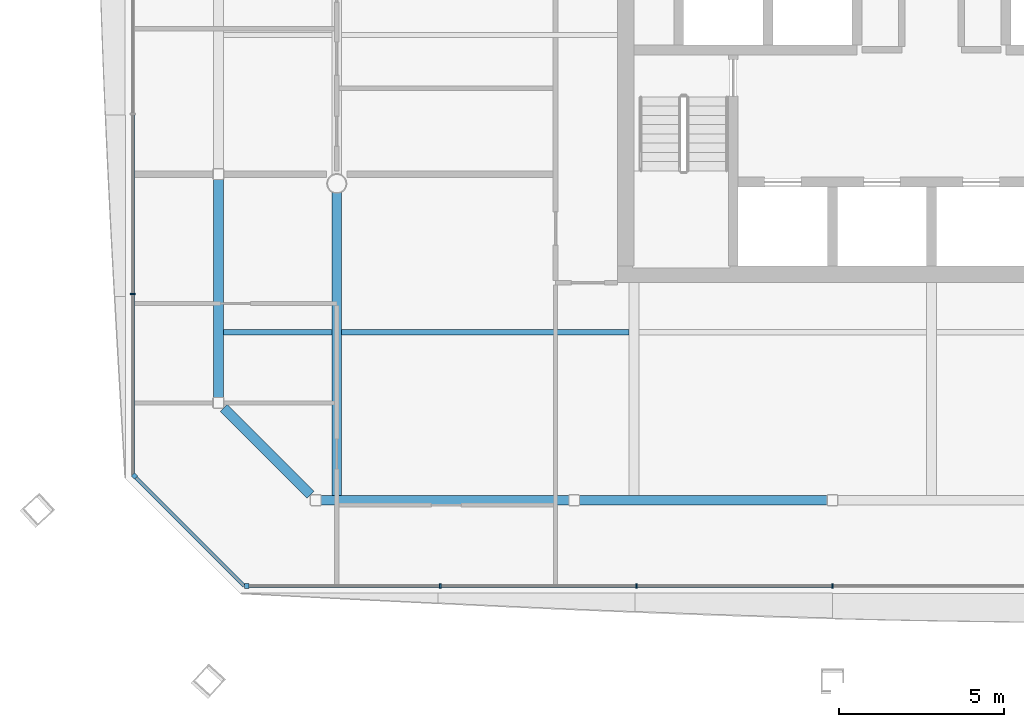
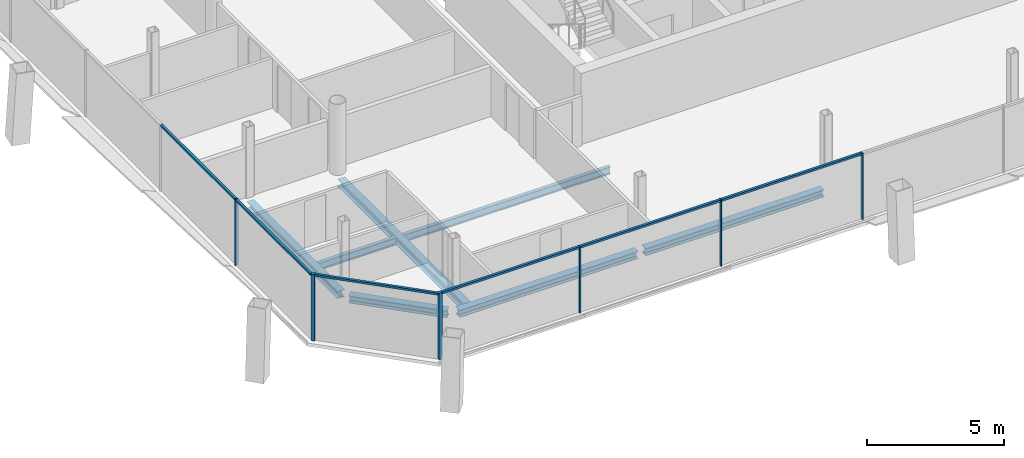
# One storey, part 4 of 20: 12 members, 7 beams, 3 elements without a shape of their own.
"""IFC4 building model written with IfcOpenShell, lengths in metres."""

from ifc_helpers import new_model, si_unit, direction, frame, origin, origin_2d, place, context, subcontext, project, spatial, rectangle, i_section, extrude, material, material_profile, profile_set, type_object, element, aggregate, save


model = new_model("IFC4")

# Units and contexts
model_context = context("Model", 3, precision=1e-05, world=origin(), true_north=direction((0.0, 1.0)))
body_context = subcontext(model_context, "Body", "Model", "MODEL_VIEW")
ifc_project = project(units=[si_unit("LENGTHUNIT", "METRE"), si_unit("AREAUNIT", "SQUARE_METRE"), si_unit("VOLUMEUNIT", "CUBIC_METRE"), si_unit("PLANEANGLEUNIT", "RADIAN"), si_unit("MASSUNIT", "GRAM", prefix="KILO")], contexts=[model_context])

# Site, building, storey
site_placement = place(None, origin())
site = spatial("IfcSite", under=ifc_project, at=site_placement, CompositionType="ELEMENT")
building_placement = place(site_placement, origin())
building = spatial("IfcBuilding", under=site, at=building_placement, Name="Tskaro Facet Tower", CompositionType="ELEMENT")
storey_placement = place(building_placement, frame((0.0, 0.0, 175.35009765625)))
storey = spatial("IfcBuildingStorey", under=building, at=storey_placement, Name="L43", CompositionType="ELEMENT", Elevation=175.35009765625)

# Curtain wall, member
ifc_material_1 = material(Name="Bronze anodised aluminium 6063-T6", Category="aluminium")
curtain_wall_type = type_object("IfcCurtainWallType", Name="Bronze residence curtain wall (FW3)", PredefinedType="NOTDEFINED", material=ifc_material_1)
curtain_wall_1_placement = place(storey_placement, origin())
curtain_wall_1 = element("IfcCurtainWall", 1, at=curtain_wall_1_placement, inside=storey, type_object=curtain_wall_type, Name="FW3 south facet L43", PredefinedType="NOTDEFINED")
ifc_material_profile_1 = material_profile(ifc_material_1, rectangle(XDim=0.139892578125, YDim=0.139892578125, at=origin_2d()), Name="Corner post 140x140")
ifc_profile_set_1 = profile_set([ifc_material_profile_1], Name="Bronze anodised aluminium 6063-T6")
member_type_1 = type_object("IfcMemberType", Name="FW3 bronze corner post 140x140", PredefinedType="MULLION", material=ifc_profile_set_1)
member_1_placement = place(storey_placement, frame((-20.72998046875, -21.176025390625, 0.0), z_axis=(0.0, 0.0, 1.0), x_axis=(1.0, 0.0, 0.0)))
member_1 = element("IfcMember", 2, at=member_1_placement, type_object=member_type_1, Name="FW3 south corner post", PredefinedType="MULLION", context=body_context, shape_type="SweptSolid", body=[
    extrude(rectangle(XDim=0.139892578125, YDim=0.139892578125, at=origin_2d()), origin(), (0.0, 0.0, 1.0), 2.949951171875),
])

curtain_wall_2_placement = place(storey_placement, origin())
curtain_wall_2 = element("IfcCurtainWall", 3, at=curtain_wall_2_placement, inside=storey, type_object=curtain_wall_type, Name="FW3 south-west facet L43", PredefinedType="NOTDEFINED")
member_2_placement = place(storey_placement, frame((-24.12646484375, -17.849609375, 0.0), z_axis=(0.0, 0.0, 1.0), x_axis=(0.707106781187, -0.707106781187, 0.0)))
member_2 = element("IfcMember", 4, at=member_2_placement, type_object=member_type_1, Name="FW3 south-west corner post", PredefinedType="MULLION", context=body_context, shape_type="SweptSolid", body=[
    extrude(rectangle(XDim=0.139892578125, YDim=0.139892578125, at=origin_2d()), origin(), (0.0, 0.0, 1.0), 2.949951171875),
])

# Member
ifc_material_profile_2 = material_profile(ifc_material_1, rectangle(XDim=0.050048828125, YDim=0.139892578125, at=origin_2d()), Name="Mullion 50x140")
ifc_profile_set_2 = profile_set([ifc_material_profile_2], Name="Bronze anodised aluminium 6063-T6")
member_type_2 = type_object("IfcMemberType", Name="FW3 bronze mullion 50x140", PredefinedType="MULLION", material=ifc_profile_set_2)
member_3_placement = place(storey_placement, frame((-14.86669921875, -21.176025390625, 0.0), z_axis=(0.0, 0.0, 1.0), x_axis=(1.0, 0.0, 0.0)))
member_3 = element("IfcMember", 5, at=member_3_placement, type_object=member_type_2, Name="FW3 south mullion 1", PredefinedType="MULLION", context=body_context, shape_type="SweptSolid", body=[
    extrude(rectangle(XDim=0.050048828125, YDim=0.139892578125, at=origin_2d()), origin(), (0.0, 0.0, 1.0), 2.949951171875),
])

member_4_placement = place(storey_placement, frame((-8.933349609375, -21.176025390625, 0.0), z_axis=(0.0, 0.0, 1.0), x_axis=(1.0, 0.0, 0.0)))
member_4 = element("IfcMember", 6, at=member_4_placement, type_object=member_type_2, Name="FW3 south mullion 2", PredefinedType="MULLION", context=body_context, shape_type="SweptSolid", body=[
    extrude(rectangle(XDim=0.050048828125, YDim=0.139892578125, at=origin_2d()), origin(), (0.0, 0.0, 1.0), 2.949951171875),
])

member_5_placement = place(storey_placement, frame((-3.0, -21.176025390625, 0.0), z_axis=(0.0, 0.0, 1.0), x_axis=(1.0, 0.0, 0.0)))
member_5 = element("IfcMember", 7, at=member_5_placement, type_object=member_type_2, Name="FW3 south mullion 3", PredefinedType="MULLION", context=body_context, shape_type="SweptSolid", body=[
    extrude(rectangle(XDim=0.050048828125, YDim=0.139892578125, at=origin_2d()), origin(), (0.0, 0.0, 1.0), 2.949951171875),
])

# Curtain wall, member
curtain_wall_3_placement = place(storey_placement, origin())
curtain_wall_3 = element("IfcCurtainWall", 8, at=curtain_wall_3_placement, inside=storey, type_object=curtain_wall_type, Name="FW3 west facet L43", PredefinedType="NOTDEFINED")
member_6_placement = place(storey_placement, frame((-24.176025390625, -12.3447265625, 0.0), z_axis=(0.0, 0.0, 1.0), x_axis=(0.0, -1.0, 0.0)))
member_6 = element("IfcMember", 9, at=member_6_placement, type_object=member_type_2, Name="FW3 west mullion 5", PredefinedType="MULLION", context=body_context, shape_type="SweptSolid", body=[
    extrude(rectangle(XDim=0.050048828125, YDim=0.139892578125, at=origin_2d()), origin(), (0.0, 0.0, 1.0), 2.949951171875),
])

# Member
ifc_material_profile_3 = material_profile(ifc_material_1, rectangle(XDim=0.10009765625, YDim=0.090087890625, at=origin_2d()), Name="Transom 100x90")
ifc_profile_set_3 = profile_set([ifc_material_profile_3], Name="Bronze anodised aluminium 6063-T6")
member_type_3 = type_object("IfcMemberType", Name="FW3 bronze transom 100x90", PredefinedType="USERDEFINED", material=ifc_profile_set_3)
member_7_placement = place(storey_placement, frame((-20.659912109375, -21.176025390625, 2.90478515625), z_axis=(1.0, 0.0, 0.0), x_axis=(0.0, 1.0, 0.0)))
member_7 = element("IfcMember", 10, at=member_7_placement, type_object=member_type_3, Name="FW3 south transom 1.1", ObjectType="TRANSOM", PredefinedType="USERDEFINED", context=body_context, shape_type="SweptSolid", body=[
    extrude(rectangle(XDim=0.10009765625, YDim=0.090087890625, at=origin_2d()), origin(), (0.0, 0.0, 1.0), 5.768310546875),
])

member_8_placement = place(storey_placement, frame((-14.841552734375, -21.176025390625, 2.90478515625), z_axis=(1.0, 0.0, 0.0), x_axis=(0.0, 1.0, 0.0)))
member_8 = element("IfcMember", 11, at=member_8_placement, type_object=member_type_3, Name="FW3 south transom 2.1", ObjectType="TRANSOM", PredefinedType="USERDEFINED", context=body_context, shape_type="SweptSolid", body=[
    extrude(rectangle(XDim=0.10009765625, YDim=0.090087890625, at=origin_2d()), origin(), (0.0, 0.0, 1.0), 5.88330078125),
])

member_9_placement = place(storey_placement, frame((-8.908447265625, -21.176025390625, 2.90478515625), z_axis=(1.0, 0.0, 0.0), x_axis=(0.0, 1.0, 0.0)))
member_9 = element("IfcMember", 12, at=member_9_placement, type_object=member_type_3, Name="FW3 south transom 3.1", ObjectType="TRANSOM", PredefinedType="USERDEFINED", context=body_context, shape_type="SweptSolid", body=[
    extrude(rectangle(XDim=0.10009765625, YDim=0.090087890625, at=origin_2d()), origin(), (0.0, 0.0, 1.0), 5.883544921875),
])

aggregate(curtain_wall_1, [member_1, member_3, member_4, member_5, member_7, member_8, member_9])

member_10_placement = place(storey_placement, frame((-24.176025390625, -6.91455078125, 2.90478515625), z_axis=(0.0, -1.0, 0.0), x_axis=(1.0, 0.0, 0.0)))
member_10 = element("IfcMember", 13, at=member_10_placement, type_object=member_type_3, Name="FW3 west transom 5.1", ObjectType="TRANSOM", PredefinedType="USERDEFINED", context=body_context, shape_type="SweptSolid", body=[
    extrude(rectangle(XDim=0.10009765625, YDim=0.090087890625, at=origin_2d()), origin(), (0.0, 0.0, 1.0), 5.4052734375),
])

member_11_placement = place(storey_placement, frame((-24.176025390625, -12.369873046875, 2.90478515625), z_axis=(0.0, -1.0, 0.0), x_axis=(1.0, 0.0, 0.0)))
member_11 = element("IfcMember", 14, at=member_11_placement, type_object=member_type_3, Name="FW3 west transom 6.1", ObjectType="TRANSOM", PredefinedType="USERDEFINED", context=body_context, shape_type="SweptSolid", body=[
    extrude(rectangle(XDim=0.10009765625, YDim=0.090087890625, at=origin_2d()), origin(), (0.0, 0.0, 1.0), 5.43017578125),
])

aggregate(curtain_wall_3, [member_6, member_10, member_11])

member_12_placement = place(storey_placement, frame((-24.076904296875, -17.89892578125, 2.90478515625), z_axis=(0.707080440343, -0.707133121049, 0.0), x_axis=(0.707133121049, 0.707080440343, 0.0)))
member_12 = element("IfcMember", 15, at=member_12_placement, type_object=member_type_3, Name="FW3 south-west transom 1.1", ObjectType="TRANSOM", PredefinedType="USERDEFINED", context=body_context, shape_type="SweptSolid", body=[
    extrude(rectangle(XDim=0.10009765625, YDim=0.090087890625, at=origin_2d()), origin(), (0.0, 0.0, 1.0), 4.63427734375),
])

aggregate(curtain_wall_2, [member_2, member_12])

# Beams
ifc_material_2 = material(Name="Steel S355J2", Category="steel")
ifc_material_profile_4 = material_profile(ifc_material_2, i_section(OverallWidth=0.300048828125, OverallDepth=0.320068359375, WebThickness=0.011474609375, FlangeThickness=0.0205078125, FilletRadius=0.027099609375, at=origin_2d()), Name="HE 320 B")
ifc_profile_set_4 = profile_set([ifc_material_profile_4], Name="Steel S355J2")
beam_type_1 = type_object("IfcBeamType", Name="HE 320 B ring beam", PredefinedType="BEAM", material=ifc_profile_set_4)
beam_1_placement = place(storey_placement, frame((-18.47802734375, -18.5830078125, -0.300048828125), z_axis=(1.0, 0.0, 0.0), x_axis=(0.0, 1.0, 0.0)))
element("IfcBeam", 16, at=beam_1_placement, inside=storey, type_object=beam_type_1, Name="HE 320 B EB1-4", PredefinedType="BEAM", context=body_context, shape_type="SweptSolid", body=[
    extrude(i_section(OverallWidth=0.300048828125, OverallDepth=0.320068359375, WebThickness=0.011474609375, FlangeThickness=0.0205078125, FilletRadius=0.027099609375, at=origin_2d()), origin(), (0.0, 0.0, 1.0), 7.507080078125),
])
beam_2_placement = place(storey_placement, frame((-10.660888671875, -18.5830078125, -0.300048828125), z_axis=(1.0, 0.0, 0.0), x_axis=(0.0, 1.0, 0.0)))
element("IfcBeam", 17, at=beam_2_placement, inside=storey, type_object=beam_type_1, Name="HE 320 B EB2-4", PredefinedType="BEAM", context=body_context, shape_type="SweptSolid", body=[
    extrude(i_section(OverallWidth=0.300048828125, OverallDepth=0.320068359375, WebThickness=0.011474609375, FlangeThickness=0.0205078125, FilletRadius=0.027099609375, at=origin_2d()), origin(), (0.0, 0.0, 1.0), 7.505859375),
])
beam_3_placement = place(storey_placement, frame((-21.5830078125, -8.867919921875, -0.300048828125), z_axis=(0.0, -1.0, 0.0), x_axis=(1.0, 0.0, 0.0)))
element("IfcBeam", 18, at=beam_3_placement, inside=storey, type_object=beam_type_1, Name="HE 320 B EB20-4", PredefinedType="BEAM", context=body_context, shape_type="SweptSolid", body=[
    extrude(i_section(OverallWidth=0.300048828125, OverallDepth=0.320068359375, WebThickness=0.011474609375, FlangeThickness=0.0205078125, FilletRadius=0.027099609375, at=origin_2d()), origin(), (0.0, 0.0, 1.0), 6.610107421875),
])
beam_4_placement = place(storey_placement, frame((-21.422119140625, -15.7939453125, -0.300048828125), z_axis=(0.707106781187, -0.707106781187, 0.0), x_axis=(0.707106781187, 0.707106781187, 0.0)))
element("IfcBeam", 19, at=beam_4_placement, inside=storey, type_object=beam_type_1, Name="HE 320 B EB21-4", PredefinedType="BEAM", context=body_context, shape_type="SweptSolid", body=[
    extrude(i_section(OverallWidth=0.300048828125, OverallDepth=0.320068359375, WebThickness=0.011474609375, FlangeThickness=0.0205078125, FilletRadius=0.027099609375, at=origin_2d()), origin(), (0.0, 0.0, 1.0), 3.716796875),
])
ifc_material_profile_5 = material_profile(ifc_material_2, i_section(OverallWidth=0.300048828125, OverallDepth=0.35009765625, WebThickness=0.010009765625, FlangeThickness=0.017578125, FilletRadius=0.027099609375, at=origin_2d()), Name="HE 360 A")
ifc_profile_set_5 = profile_set([ifc_material_profile_5], Name="Steel S355J2")
beam_type_2 = type_object("IfcBeamType", Name="HE 360 A girder", PredefinedType="BEAM", material=ifc_profile_set_5)
beam_5_placement = place(storey_placement, frame((-18.0, -18.43310546875, -0.315185546875), z_axis=(0.0, 1.0, 0.0), x_axis=(-1.0, 0.0, 0.0)))
element("IfcBeam", 20, at=beam_5_placement, inside=storey, type_object=beam_type_2, Name="HE 360 A GB2-1-4", PredefinedType="BEAM", context=body_context, shape_type="SweptSolid", body=[
    extrude(i_section(OverallWidth=0.300048828125, OverallDepth=0.35009765625, WebThickness=0.010009765625, FlangeThickness=0.017578125, FilletRadius=0.027099609375, at=origin_2d()), origin(), (0.0, 0.0, 1.0), 9.158203125),
])
ifc_material_profile_6 = material_profile(ifc_material_2, i_section(OverallWidth=0.159912109375, OverallDepth=0.330078125, WebThickness=0.007568359375, FlangeThickness=0.011474609375, FilletRadius=0.01806640625, at=origin_2d()), Name="IPE 330")
ifc_profile_set_6 = profile_set([ifc_material_profile_6], Name="Steel S355J2")
beam_type_3 = type_object("IfcBeamType", Name="IPE 330 secondary beam", PredefinedType="BEAM", material=ifc_profile_set_6)
beam_6_placement = place(storey_placement, frame((-21.43310546875, -13.5, -0.30517578125), z_axis=(1.0, 0.0, 0.0), x_axis=(0.0, 1.0, 0.0)))
element("IfcBeam", 21, at=beam_6_placement, inside=storey, type_object=beam_type_3, Name="IPE 330 SB2a-1-4", PredefinedType="BEAM", context=body_context, shape_type="SweptSolid", body=[
    extrude(i_section(OverallWidth=0.159912109375, OverallDepth=0.330078125, WebThickness=0.007568359375, FlangeThickness=0.011474609375, FilletRadius=0.01806640625, at=origin_2d()), origin(), (0.0, 0.0, 1.0), 3.283203125),
])
beam_7_placement = place(storey_placement, frame((-17.85009765625, -13.5, -0.30517578125), z_axis=(1.0, 0.0, 0.0), x_axis=(0.0, 1.0, 0.0)))
element("IfcBeam", 22, at=beam_7_placement, inside=storey, type_object=beam_type_3, Name="IPE 330 SB2a-2-4", PredefinedType="BEAM", context=body_context, shape_type="SweptSolid", body=[
    extrude(i_section(OverallWidth=0.159912109375, OverallDepth=0.330078125, WebThickness=0.007568359375, FlangeThickness=0.011474609375, FilletRadius=0.01806640625, at=origin_2d()), origin(), (0.0, 0.0, 1.0), 8.7001953125),
])

save(model, "model.ifc")
